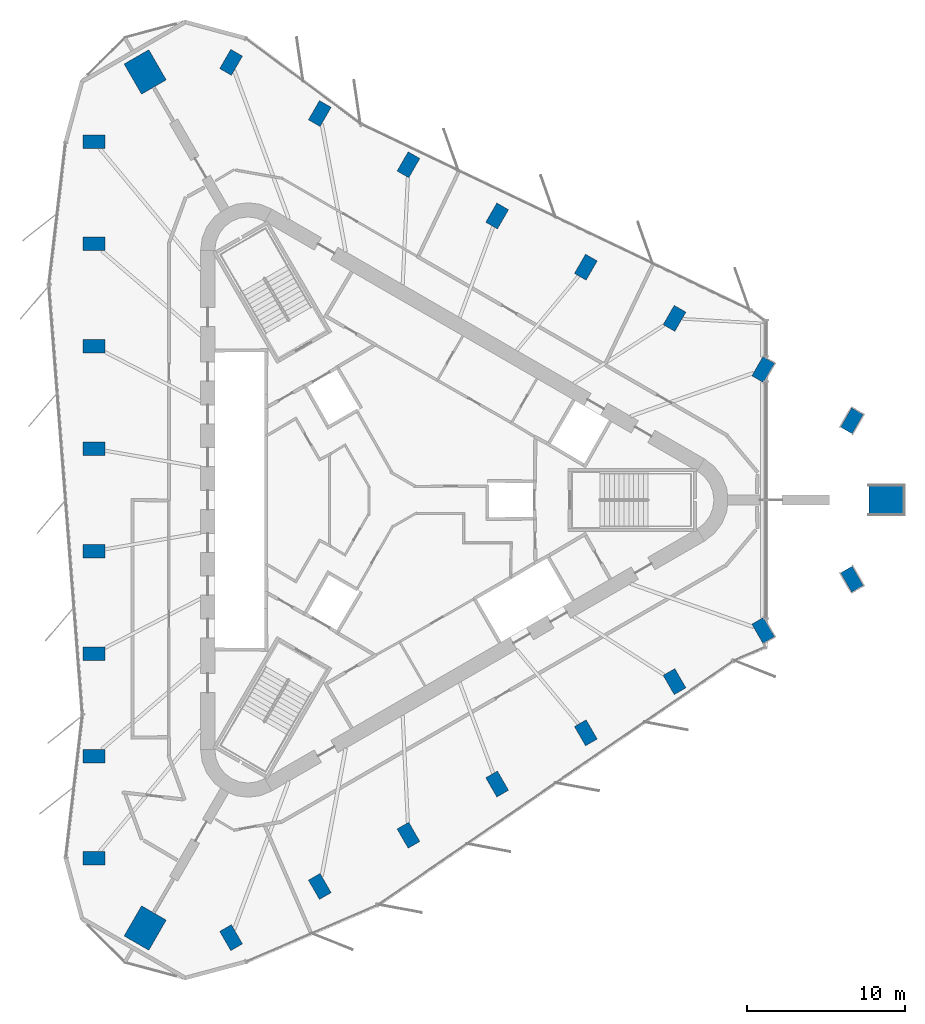
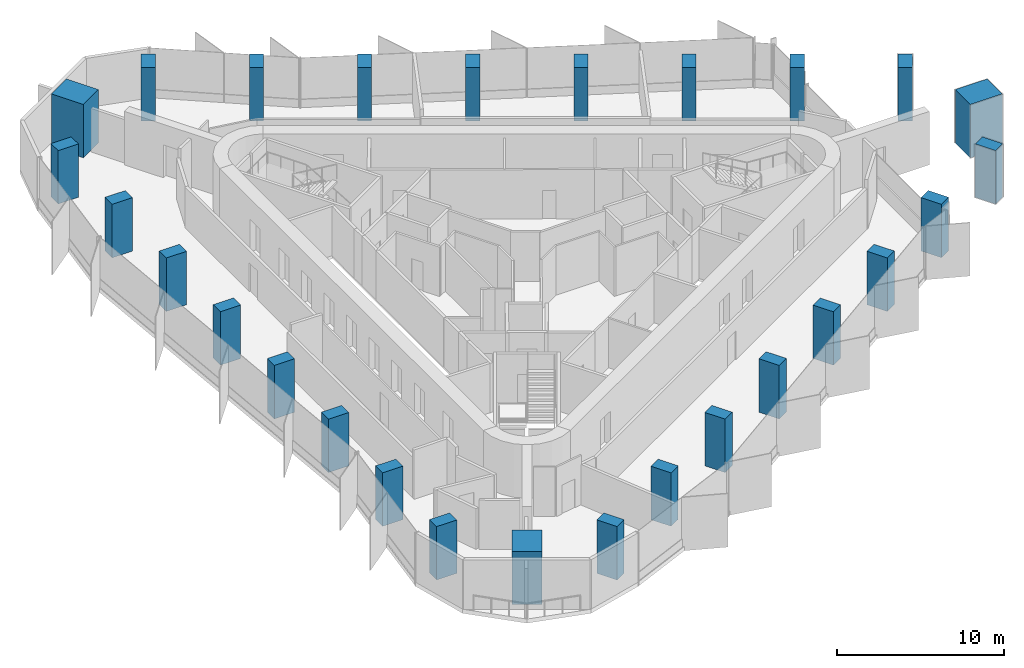
# One storey, part 1 of 12: 27 columns.
"""IFC4 building model written with IfcOpenShell, lengths in metres."""

from ifc_helpers import new_model, si_unit, direction, frame, origin, origin_2d, place, context, subcontext, project, spatial, rectangle, extrude, material, material_profile, profile_set, type_object, element, save


model = new_model("IFC4")

# Units and contexts
model_context = context("Model", 3, precision=1e-05, world=origin(), true_north=direction((0.0, 1.0)))
body_context = subcontext(model_context, "Body", "Model", "MODEL_VIEW")
ifc_project = project(units=[si_unit("LENGTHUNIT", "METRE"), si_unit("AREAUNIT", "SQUARE_METRE"), si_unit("VOLUMEUNIT", "CUBIC_METRE"), si_unit("PLANEANGLEUNIT", "RADIAN"), si_unit("MASSUNIT", "GRAM", prefix="KILO")], contexts=[model_context])

# Site, building, storey
site_placement = place(None, origin())
site = spatial("IfcSite", under=ifc_project, at=site_placement, CompositionType="ELEMENT")
building_placement = place(site_placement, origin())
building = spatial("IfcBuilding", under=site, at=building_placement, Name="Tanit Gate Tower", CompositionType="ELEMENT")
storey_placement = place(building_placement, frame((0.0, 0.0, 384.5)))
storey = spatial("IfcBuildingStorey", under=building, at=storey_placement, Name="L88", CompositionType="ELEMENT", Elevation=384.5)

# Columns
ifc_material_1 = material(Name="Concrete C50/60", Category="concrete")
ifc_material_profile_1 = material_profile(ifc_material_1, rectangle(XDim=2.199951171875, YDim=1.800048828125, at=origin_2d()), Name="RC 2200x1800")
ifc_profile_set_1 = profile_set([ifc_material_profile_1], Name="Concrete C50/60")
column_type_1 = type_object("IfcColumnType", Name="MEGA COLUMN 2200x1800 C50/60", PredefinedType="COLUMN", material=ifc_profile_set_1)
for number, where, z_axis, x_axis, name in (
    (1, (31.19580078125, 0.0, 0.0), (0.0, 0.0, 1.0), (1.0, 0.0, 0.0), "MEGA COLUMN"),
    (2, (-15.597900390625, 27.016357421875, 0.0), (0.0, 0.0, 1.0), (-0.5, 0.866025403784, 0.0), "MEGA COLUMN"),
    (3, (-15.597900390625, -27.016357421875, 0.0), (0.0, 0.0, 1.0), (-0.5, -0.866025403784, 0.0), "MEGA COLUMN"),
):
    element("IfcColumn", number, at=place(storey_placement, frame(where, z_axis=z_axis, x_axis=x_axis)), inside=storey, type_object=column_type_1, Name=name, PredefinedType="COLUMN", context=body_context, shape_type="SweptSolid", body=[
        extrude(rectangle(XDim=2.199951171875, YDim=1.800048828125, at=origin_2d()), origin(), (0.0, 0.0, 1.0), 3.89990234375),
    ])
ifc_material_2 = material(Name="Concrete C40/50", Category="concrete")
ifc_material_profile_2 = material_profile(ifc_material_2, rectangle(XDim=1.39990234375, YDim=0.85009765625, at=origin_2d()), Name="RC 1400x850")
ifc_profile_set_2 = profile_set([ifc_material_profile_2], Name="Concrete C40/50")
column_type_2 = type_object("IfcColumnType", Name="PERIMETER COLUMN 1400x850 C40/50", PredefinedType="COLUMN", material=ifc_profile_set_2)
for number, where, z_axis, x_axis, name in (
    (4, (-18.833984375, 22.62353515625, 0.0), (0.0, 0.0, 1.0), (-1.0, 0.0, 0.0), "PERIMETER COLUMN"),
    (5, (-18.833984375, 16.15966796875, 0.0), (0.0, 0.0, 1.0), (-1.0, 0.0, 0.0), "PERIMETER COLUMN"),
    (6, (-18.833984375, 9.69580078125, 0.0), (0.0, 0.0, 1.0), (-1.0, 0.0, 0.0), "PERIMETER COLUMN"),
    (7, (-18.833984375, 3.23193359375, 0.0), (0.0, 0.0, 1.0), (-1.0, 0.0, 0.0), "PERIMETER COLUMN"),
    (8, (-18.833984375, -3.23193359375, 0.0), (0.0, 0.0, 1.0), (-1.0, 0.0, 0.0), "PERIMETER COLUMN"),
    (9, (-18.833984375, -9.69580078125, 0.0), (0.0, 0.0, 1.0), (-1.0, 0.0, 0.0), "PERIMETER COLUMN"),
    (10, (-18.833984375, -16.15966796875, 0.0), (0.0, 0.0, 1.0), (-1.0, 0.0, 0.0), "PERIMETER COLUMN"),
    (11, (-18.833984375, -22.62353515625, 0.0), (0.0, 0.0, 1.0), (-1.0, 0.0, 0.0), "PERIMETER COLUMN"),
    (12, (29.009521484375, 4.998779296875, 0.0), (0.0, 0.0, 1.0), (0.5, 0.866025403784, 0.0), "PERIMETER COLUMN"),
    (13, (23.41162109375, 8.230712890625, 0.0), (0.0, 0.0, 1.0), (0.5, 0.866025403784, 0.0), "PERIMETER COLUMN"),
    (14, (17.813720703125, 11.462890625, 0.0), (0.0, 0.0, 1.0), (0.5, 0.866025403784, 0.0), "PERIMETER COLUMN"),
    (15, (12.2158203125, 14.694580078125, 0.0), (0.0, 0.0, 1.0), (0.5, 0.866025403784, 0.0), "PERIMETER COLUMN"),
    (16, (6.617919921875, 17.9267578125, 0.0), (0.0, 0.0, 1.0), (0.5, 0.866025403784, 0.0), "PERIMETER COLUMN"),
    (17, (1.02001953125, 21.15869140625, 0.0), (0.0, 0.0, 1.0), (0.5, 0.866025403784, 0.0), "PERIMETER COLUMN"),
    (18, (-4.577880859375, 24.390625, 0.0), (0.0, 0.0, 1.0), (0.5, 0.866025403784, 0.0), "PERIMETER COLUMN"),
    (19, (-10.17578125, 27.62255859375, 0.0), (0.0, 0.0, 1.0), (0.5, 0.866025403784, 0.0), "PERIMETER COLUMN"),
    (20, (-10.17578125, -27.62255859375, 0.0), (0.0, 0.0, 1.0), (0.5, -0.866025403784, 0.0), "PERIMETER COLUMN"),
    (21, (-4.577880859375, -24.390625, 0.0), (0.0, 0.0, 1.0), (0.5, -0.866025403784, 0.0), "PERIMETER COLUMN"),
    (22, (1.02001953125, -21.15869140625, 0.0), (0.0, 0.0, 1.0), (0.5, -0.866025403784, 0.0), "PERIMETER COLUMN"),
    (23, (6.617919921875, -17.9267578125, 0.0), (0.0, 0.0, 1.0), (0.5, -0.866025403784, 0.0), "PERIMETER COLUMN"),
    (24, (12.2158203125, -14.694580078125, 0.0), (0.0, 0.0, 1.0), (0.5, -0.866025403784, 0.0), "PERIMETER COLUMN"),
    (25, (17.813720703125, -11.462890625, 0.0), (0.0, 0.0, 1.0), (0.5, -0.866025403784, 0.0), "PERIMETER COLUMN"),
    (26, (23.41162109375, -8.230712890625, 0.0), (0.0, 0.0, 1.0), (0.5, -0.866025403784, 0.0), "PERIMETER COLUMN"),
    (27, (29.009521484375, -4.998779296875, 0.0), (0.0, 0.0, 1.0), (0.5, -0.866025403784, 0.0), "PERIMETER COLUMN"),
):
    element("IfcColumn", number, at=place(storey_placement, frame(where, z_axis=z_axis, x_axis=x_axis)), inside=storey, type_object=column_type_2, Name=name, PredefinedType="COLUMN", context=body_context, shape_type="SweptSolid", body=[
        extrude(rectangle(XDim=1.39990234375, YDim=0.85009765625, at=origin_2d()), origin(), (0.0, 0.0, 1.0), 3.89990234375),
    ])

save(model, "model.ifc")
